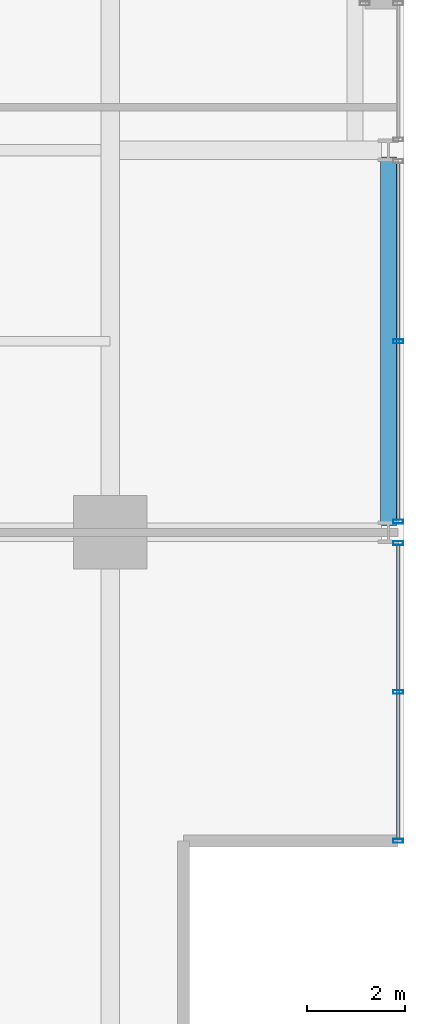
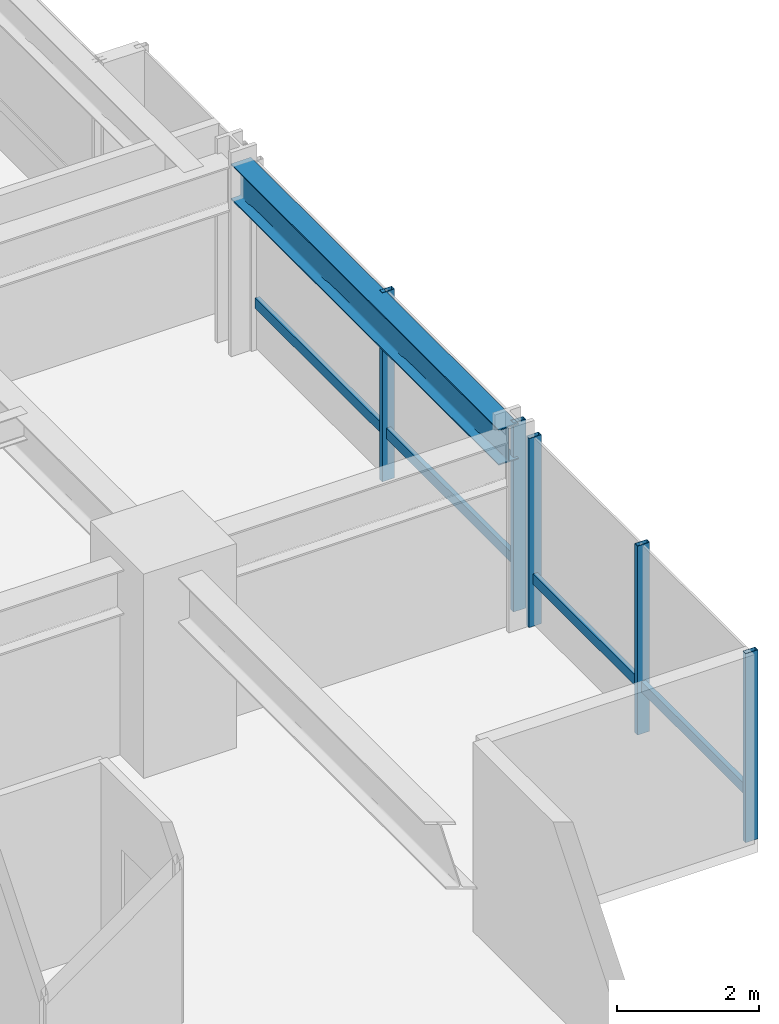
# One storey, part 13 of 34: 7 members, 1 beam, 2 elements without a shape of their own.
"""IFC4 building model written with IfcOpenShell, lengths in metres."""

from ifc_helpers import new_model, si_unit, direction, frame, origin, origin_2d, place, context, subcontext, project, spatial, hollow_rectangle, i_section, extrude, material, layer, layer_set, material_profile, profile_set, type_object, element, aggregate, save


model = new_model("IFC4")

# Units and contexts
model_context = context("Model", 3, precision=1e-05, world=origin(), true_north=direction((0.0, 1.0)))
body_context = subcontext(model_context, "Body", "Model", "MODEL_VIEW")
ifc_project = project(units=[si_unit("LENGTHUNIT", "METRE"), si_unit("AREAUNIT", "SQUARE_METRE"), si_unit("VOLUMEUNIT", "CUBIC_METRE"), si_unit("PLANEANGLEUNIT", "RADIAN"), si_unit("MASSUNIT", "GRAM", prefix="KILO")], contexts=[model_context])

# Site, building, storey
site_placement = place(None, origin())
site = spatial("IfcSite", under=ifc_project, at=site_placement, CompositionType="ELEMENT")
building_placement = place(site_placement, origin())
building = spatial("IfcBuilding", under=site, at=building_placement, Name="Drelvath Grand Hotel", CompositionType="ELEMENT")
storey_placement = place(building_placement, frame((0.0, 0.0, 102.300048828125)))
storey = spatial("IfcBuildingStorey", under=building, at=storey_placement, Name="L25", CompositionType="ELEMENT", Elevation=102.300048828125)

# Curtain wall, member
ifc_material_1 = material(Name="Champagne Bronze Anodised Aluminium Frame", Category="aluminium")
ifc_layer = layer(ifc_material_1, 0.199951171875)
ifc_layer_set = layer_set([ifc_layer], Name="Champagne Bronze Anodised Aluminium Frame")
curtain_wall_type = type_object("IfcCurtainWallType", Name="Stick Curtain Wall CW-03 Champagne Bronze Mid-Rise", PredefinedType="NOTDEFINED", material=ifc_layer_set)
curtain_wall_1_placement = place(storey_placement, origin())
curtain_wall_1 = element("IfcCurtainWall", 1, at=curtain_wall_1_placement, inside=storey, type_object=curtain_wall_type, Name="L25 CW-03 Curtain Wall CW03-L25-ES1", PredefinedType="NOTDEFINED")
ifc_material_profile_1 = material_profile(ifc_material_1, hollow_rectangle(XDim=0.074951171875, YDim=0.179931640625, WallThickness=0.0048828125, at=origin_2d()), Name="HSS180X75X5")
ifc_profile_set_1 = profile_set([ifc_material_profile_1], Name="Champagne Bronze Anodised Aluminium Frame")
member_type_1 = type_object("IfcMemberType", Name="Curtain Wall Horizontal Transom CW-03 HSS180X75X5", PredefinedType="USERDEFINED", material=ifc_profile_set_1)
member_1_placement = place(storey_placement, frame((22.080078125, 10.540283203125, 0.81005859375), z_axis=(0.0, -1.0, 0.0), x_axis=(1.0, 0.0, 0.0)))
member_1 = element("IfcMember", 2, at=member_1_placement, type_object=member_type_1, Name="CW03-L25-ES1 Sill Transom", ObjectType="TRANSOM", PredefinedType="USERDEFINED", context=body_context, shape_type="SweptSolid", body=[
    extrude(hollow_rectangle(XDim=0.074951171875, YDim=0.179931640625, WallThickness=0.0048828125, at=origin_2d()), origin(), (0.0, 0.0, 1.0), 6.000244140625),
])

curtain_wall_2_placement = place(storey_placement, origin())
curtain_wall_2 = element("IfcCurtainWall", 3, at=curtain_wall_2_placement, inside=storey, type_object=curtain_wall_type, Name="L25 CW-03 Curtain Wall CW03-L25-ES2", PredefinedType="NOTDEFINED")
member_2_placement = place(storey_placement, frame((22.080078125, 18.34033203125, 0.81005859375), z_axis=(0.0, -1.0, 0.0), x_axis=(1.0, 0.0, 0.0)))
member_2 = element("IfcMember", 4, at=member_2_placement, type_object=member_type_1, Name="CW03-L25-ES2 Sill Transom", ObjectType="TRANSOM", PredefinedType="USERDEFINED", context=body_context, shape_type="SweptSolid", body=[
    extrude(hollow_rectangle(XDim=0.074951171875, YDim=0.179931640625, WallThickness=0.0048828125, at=origin_2d()), origin(), (0.0, 0.0, 1.0), 7.28076171875),
])

# Member
ifc_material_profile_2 = material_profile(ifc_material_1, hollow_rectangle(XDim=0.080078125, YDim=0.199951171875, WallThickness=0.0048828125, at=origin_2d()), Name="HSS200X80X5")
ifc_profile_set_2 = profile_set([ifc_material_profile_2], Name="Champagne Bronze Anodised Aluminium Frame")
member_type_2 = type_object("IfcMemberType", Name="Curtain Wall Vertical Mullion CW-03 HSS200X80X5", PredefinedType="MULLION", material=ifc_profile_set_2)
member_3_placement = place(storey_placement, frame((22.080078125, 10.580322265625, 0.0), z_axis=(0.0, 0.0, 1.0), x_axis=(0.0, 1.0, 0.0)))
member_3 = element("IfcMember", 5, at=member_3_placement, type_object=member_type_2, Name="CW03-L25-ES1 Mullion 1", PredefinedType="MULLION", context=body_context, shape_type="SweptSolid", body=[
    extrude(hollow_rectangle(XDim=0.080078125, YDim=0.199951171875, WallThickness=0.0048828125, at=origin_2d()), origin(), (0.0, 0.0, 1.0), 3.239990234375),
])

member_4_placement = place(storey_placement, frame((22.080078125, 7.540283203125, 0.0), z_axis=(0.0, 0.0, 1.0), x_axis=(0.0, 1.0, 0.0)))
member_4 = element("IfcMember", 6, at=member_4_placement, type_object=member_type_2, Name="CW03-L25-ES1 Mullion 2", PredefinedType="MULLION", context=body_context, shape_type="SweptSolid", body=[
    extrude(hollow_rectangle(XDim=0.080078125, YDim=0.199951171875, WallThickness=0.0048828125, at=origin_2d()), origin(), (0.0, 0.0, 1.0), 3.239990234375),
])

member_5_placement = place(storey_placement, frame((22.080078125, 4.5, 0.0), z_axis=(0.0, 0.0, 1.0), x_axis=(0.0, 1.0, 0.0)))
member_5 = element("IfcMember", 7, at=member_5_placement, type_object=member_type_2, Name="CW03-L25-ES1 Mullion 3", PredefinedType="MULLION", context=body_context, shape_type="SweptSolid", body=[
    extrude(hollow_rectangle(XDim=0.080078125, YDim=0.199951171875, WallThickness=0.0048828125, at=origin_2d()), origin(), (0.0, 0.0, 1.0), 3.239990234375),
])

aggregate(curtain_wall_1, [member_3, member_4, member_5, member_1])

member_6_placement = place(storey_placement, frame((22.080078125, 14.699951171875, 0.0), z_axis=(0.0, 0.0, 1.0), x_axis=(0.0, 1.0, 0.0)))
member_6 = element("IfcMember", 8, at=member_6_placement, type_object=member_type_2, Name="CW03-L25-ES2 Mullion 2", PredefinedType="MULLION", context=body_context, shape_type="SweptSolid", body=[
    extrude(hollow_rectangle(XDim=0.080078125, YDim=0.199951171875, WallThickness=0.0048828125, at=origin_2d()), origin(), (0.0, 0.0, 1.0), 3.239990234375),
])

member_7_placement = place(storey_placement, frame((22.080078125, 11.01953125, 0.0), z_axis=(0.0, 0.0, 1.0), x_axis=(0.0, 1.0, 0.0)))
member_7 = element("IfcMember", 9, at=member_7_placement, type_object=member_type_2, Name="CW03-L25-ES2 Mullion 3", PredefinedType="MULLION", context=body_context, shape_type="SweptSolid", body=[
    extrude(hollow_rectangle(XDim=0.080078125, YDim=0.199951171875, WallThickness=0.0048828125, at=origin_2d()), origin(), (0.0, 0.0, 1.0), 3.239990234375),
])

aggregate(curtain_wall_2, [member_6, member_7, member_2])

# Beam
ifc_material_2 = material(Name="Steel ASTM A992 Gr 50", Category="steel")
ifc_material_profile_3 = material_profile(ifc_material_2, i_section(OverallWidth=0.323974609375, OverallDepth=0.611083984375, WebThickness=0.0126953125, FlangeThickness=0.01904296875, FilletRadius=0.02197265625, at=origin_2d()), Name="W24X104")
ifc_profile_set_3 = profile_set([ifc_material_profile_3], Name="Steel ASTM A992 Gr 50")
beam_type = type_object("IfcBeamType", Name="Perimeter Spandrel Beam W24X104", PredefinedType="SPANDREL", material=ifc_profile_set_3)
beam_placement = place(storey_placement, frame((21.8798828125, 10.93994140625, 2.9345703125), z_axis=(0.0, 1.0, 0.0), x_axis=(-1.0, 0.0, 0.0)))
element("IfcBeam", 10, at=beam_placement, inside=storey, type_object=beam_type, Name="L25 Spandrel East S", PredefinedType="SPANDREL", context=body_context, shape_type="SweptSolid", body=[
    extrude(i_section(OverallWidth=0.323974609375, OverallDepth=0.611083984375, WebThickness=0.0126953125, FlangeThickness=0.01904296875, FilletRadius=0.02197265625, at=origin_2d()), origin(), (0.0, 0.0, 1.0), 7.52001953125),
])

save(model, "model.ifc")
